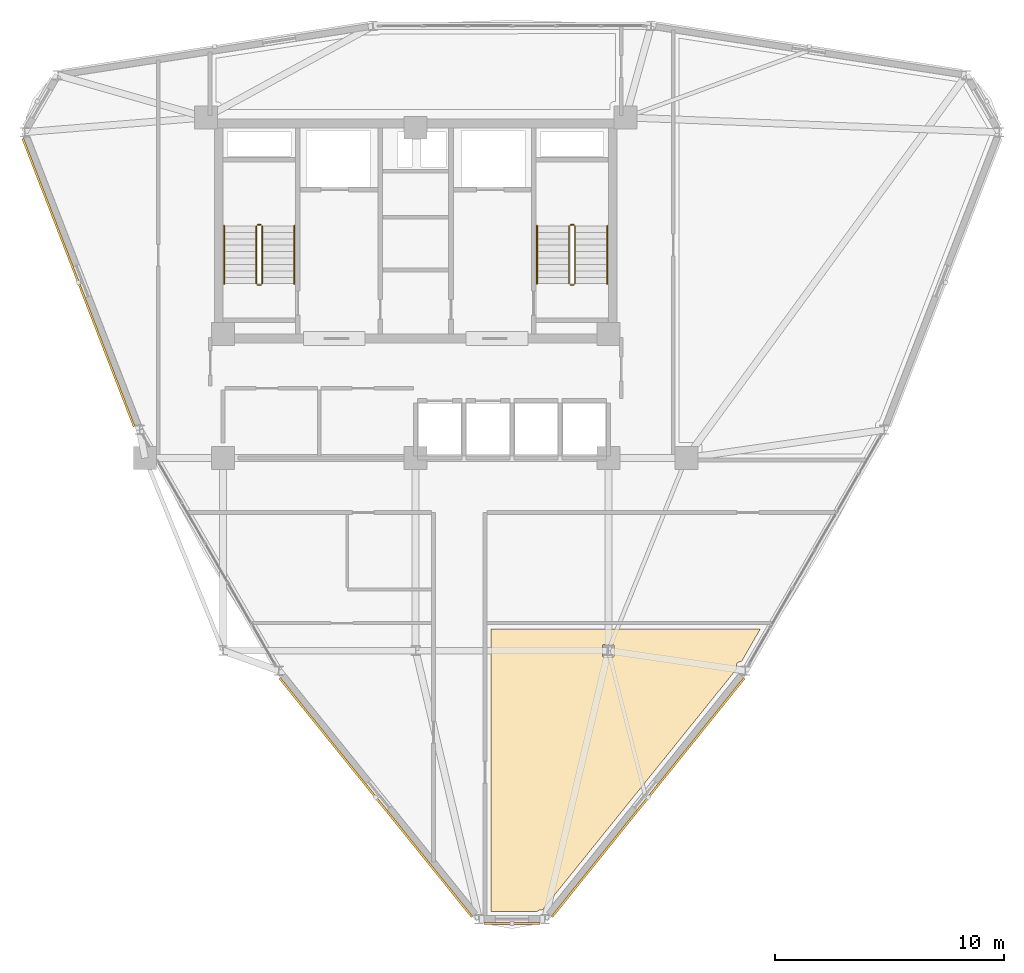
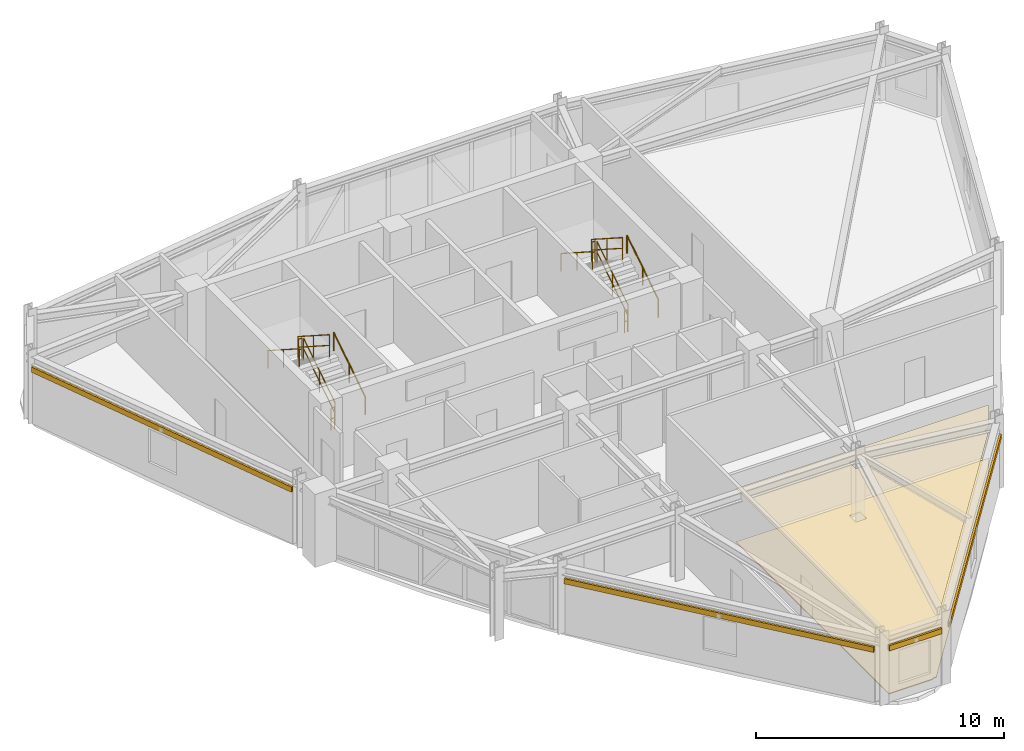
# One storey, part 15 of 16: 12 railings, 4 shading devices, 2 coverings.
"""IFC4 building model written with IfcOpenShell, lengths in metres."""

from ifc_helpers import new_model, si_unit, derived_unit, direction, frame, origin, origin_2d, place, context, subcontext, project, spatial, polyline, hollow_rectangle, circle, outline, extrude, source, transform, mapped, material, layer, layer_set, material_profile, profile_set, type_object, element, save


model = new_model("IFC4")

# Units and contexts
model_context = context("Model", 3, precision=1e-05, world=origin(), true_north=direction((0.0, 1.0)))
body_context = subcontext(model_context, "Body", "Model", "MODEL_VIEW")
ifc_project = project(units=[si_unit("LENGTHUNIT", "METRE"), si_unit("AREAUNIT", "SQUARE_METRE"), si_unit("VOLUMEUNIT", "CUBIC_METRE"), si_unit("PLANEANGLEUNIT", "RADIAN"), si_unit("MASSUNIT", "GRAM", prefix="KILO"), derived_unit("THERMALTRANSMITTANCEUNIT", [(si_unit("POWERUNIT", "WATT"), 1), (si_unit("LENGTHUNIT", "METRE"), -2), (si_unit("THERMODYNAMICTEMPERATUREUNIT", "KELVIN"), -1)])], contexts=[model_context])

# Site, building, storey
site_placement = place(None, origin())
site = spatial("IfcSite", under=ifc_project, at=site_placement, CompositionType="ELEMENT")
building_placement = place(site_placement, origin())
building = spatial("IfcBuilding", under=site, at=building_placement, Name="Korsvarv Bourse and Concert Hall", CompositionType="ELEMENT")
storey_placement = place(building_placement, frame((0.0, 0.0, 234.60009765625)))
storey = spatial("IfcBuildingStorey", under=building, at=storey_placement, Name="L61", CompositionType="ELEMENT", Elevation=234.60009765625)

# Coverings
ifc_material_1 = material(Name="Perforated mineral-wool and birch acoustic baffle ceiling", Category="wood")
ifc_layer_1 = layer(ifc_material_1, 0.02490234375)
ifc_layer_set_1 = layer_set([ifc_layer_1], Name="Perforated mineral-wool and birch acoustic baffle ceiling")
covering_type_1 = type_object("IfcCoveringType", Name="COV-CEIL-1", PredefinedType="CEILING", material=ifc_layer_set_1)
covering_1_placement = place(storey_placement, frame((0.0, 0.0, 2.639892578125)))
element("IfcCovering", 1, at=covering_1_placement, inside=storey, type_object=covering_type_1, Name="L61 acoustic baffle ceiling 2", PredefinedType="CEILING", context=body_context, shape_type="SweptSolid", body=[
    extrude(outline(polyline([(51.026611328125, 24.949951171875), (50.20556640625, 23.52783203125), (50.165283203125, 23.52783203125), (50.131103515625, 23.5244140625), (50.09814453125, 23.514892578125), (50.06787109375, 23.4990234375), (50.040771484375, 23.477783203125), (50.018310546875, 23.451904296875), (50.00146484375, 23.422119140625), (49.990234375, 23.3896484375), (49.985595703125, 23.355712890625), (49.97802734375, 23.1875), (41.5224609375, 12.694091796875), (41.435302734375, 12.694091796875), (41.399658203125, 12.6904296875), (41.365234375, 12.679931640625), (41.333740234375, 12.66259765625), (41.306396484375, 12.639404296875), (39.280029296875, 12.635986328125), (39.280029296875, 24.949951171875), (51.026611328125, 24.949951171875)]), holes=[polyline([(44.179443359375, 23.734619140625), (44.60595703125, 23.732421875), (44.629638671875, 23.73828125), (44.647705078125, 23.754638671875), (44.65576171875, 23.777587890625), (44.656005859375, 24.217529296875), (44.650146484375, 24.2412109375), (44.6337890625, 24.259033203125), (44.61083984375, 24.267333984375), (44.194091796875, 24.267578125), (44.17041015625, 24.26171875), (44.15234375, 24.245361328125), (44.144287109375, 24.222412109375), (44.14404296875, 23.782470703125), (44.14990234375, 23.7587890625), (44.179443359375, 23.734619140625)])]), origin(), (0.0, 0.0, 1.0), 0.02490234375),
])
ifc_material_2 = material(Name="Calcium-sulphate raised access trading floor with Nordic oak top", Category="wood")
ifc_layer_2 = layer(ifc_material_2, 0.0400390625)
ifc_layer_set_2 = layer_set([ifc_layer_2], Name="Calcium-sulphate raised access trading floor with Nordic oak top")
covering_type_2 = type_object("IfcCoveringType", Name="COV-FLOR-1", PredefinedType="FLOORING", material=ifc_layer_set_2)
covering_2_placement = place(storey_placement, origin())
element("IfcCovering", 2, at=covering_2_placement, inside=storey, type_object=covering_type_2, Name="L61 raised access oak floor finish 2", PredefinedType="FLOORING", context=body_context, shape_type="SweptSolid", body=[
    extrude(outline(polyline([(51.026611328125, 24.949951171875), (50.20556640625, 23.52783203125), (50.165283203125, 23.52783203125), (50.131103515625, 23.5244140625), (50.09814453125, 23.514892578125), (50.06787109375, 23.4990234375), (50.040771484375, 23.477783203125), (50.018310546875, 23.451904296875), (50.00146484375, 23.422119140625), (49.990234375, 23.3896484375), (49.985595703125, 23.355712890625), (49.97802734375, 23.1875), (41.5224609375, 12.694091796875), (41.435302734375, 12.694091796875), (41.399658203125, 12.6904296875), (41.365234375, 12.679931640625), (41.333740234375, 12.66259765625), (41.306396484375, 12.639404296875), (39.280029296875, 12.635986328125), (39.280029296875, 24.949951171875), (51.026611328125, 24.949951171875)]), holes=[polyline([(44.179443359375, 23.734619140625), (44.60595703125, 23.732421875), (44.629638671875, 23.73828125), (44.647705078125, 23.754638671875), (44.65576171875, 23.777587890625), (44.656005859375, 24.217529296875), (44.650146484375, 24.2412109375), (44.6337890625, 24.259033203125), (44.61083984375, 24.267333984375), (44.194091796875, 24.267578125), (44.17041015625, 24.26171875), (44.15234375, 24.245361328125), (44.144287109375, 24.222412109375), (44.14404296875, 23.782470703125), (44.14990234375, 23.7587890625), (44.179443359375, 23.734619140625)])]), origin(), (0.0, 0.0, 1.0), 0.039794921875),
])

# Railings
ifc_material_3 = material(Name="Painted Steel S355 stair well guardrail", Category="steel")
railing_type_1 = type_object("IfcRailingType", Name="RL-ST-GRD", PredefinedType="GUARDRAIL", material=ifc_material_3)
railing_1_placement = place(storey_placement, frame((29.31005859375, 40.0, 0.179931640625)))
element("IfcRailing", 3, at=railing_1_placement, inside=storey, type_object=railing_type_1, Name="L61 ST-T1 stair guard 1", PredefinedType="GUARDRAIL", context=body_context, shape_type="SweptSolid", body=[
    extrude(circle(Radius=0.02392578125, at=origin_2d()), frame((0.0, 0.0, 1.076171875), z_axis=(0.0, 0.841199657755, 0.540724639528), x_axis=(-1.0, 0.0, 0.0)), (0.0, 0.0, 1.0), 2.995849609375),
    extrude(circle(Radius=0.02392578125, at=origin_2d()), frame((0.0, 0.0, 0.550048828125), z_axis=(0.0, 0.841199657755, 0.540724639528), x_axis=(-1.0, 0.0, 0.0)), (0.0, 0.0, 1.0), 2.995849609375),
    extrude(circle(Radius=0.02099609375, at=origin_2d()), origin(), (0.0, 0.0, 1.0), 1.052001953125),
    extrude(circle(Radius=0.02099609375, at=origin_2d()), frame((0.0, 1.260009765625, 0.81005859375)), (0.0, 0.0, 1.0), 1.052001953125),
    extrude(circle(Radius=0.02099609375, at=origin_2d()), frame((0.0, 2.52001953125, 1.619873046875)), (0.0, 0.0, 1.0), 1.052001953125),
])
railing_2_placement = place(storey_placement, frame((29.260009765625, 42.570068359375, 1.7998046875)))
element("IfcRailing", 4, at=railing_2_placement, inside=storey, type_object=railing_type_1, Name="L61 ST-T1 stair guard 2", PredefinedType="GUARDRAIL", context=body_context, shape_type="SweptSolid", body=[
    extrude(circle(Radius=0.02392578125, at=origin_2d()), frame((0.0, 0.0, 1.076171875), z_axis=(-1.0, 0.0, 0.0), x_axis=(0.0, -1.0, 0.0)), (0.0, 0.0, 1.0), 0.159912109375),
    extrude(circle(Radius=0.02392578125, at=origin_2d()), frame((0.0, 0.0, 0.550048828125), z_axis=(-1.0, 0.0, 0.0), x_axis=(0.0, -1.0, 0.0)), (0.0, 0.0, 1.0), 0.159912109375),
    extrude(circle(Radius=0.02099609375, at=origin_2d()), origin(), (0.0, 0.0, 1.0), 1.052001953125),
    extrude(circle(Radius=0.02099609375, at=origin_2d()), frame((-0.159912109375, 0.0, 0.0)), (0.0, 0.0, 1.0), 1.052001953125),
])
railing_3_placement = place(storey_placement, frame((29.050048828125, 42.52001953125, 1.97998046875)))
element("IfcRailing", 5, at=railing_3_placement, inside=storey, type_object=railing_type_1, Name="L61 ST-T1 stair guard 3", PredefinedType="GUARDRAIL", context=body_context, shape_type="SweptSolid", body=[
    extrude(circle(Radius=0.02392578125, at=origin_2d()), frame((0.0, 0.0, 1.076171875), z_axis=(0.0, -0.841199657755, 0.540724639528), x_axis=(1.0, 0.0, 0.0)), (0.0, 0.0, 1.0), 2.995849609375),
    extrude(circle(Radius=0.02392578125, at=origin_2d()), frame((0.0, 0.0, 0.550048828125), z_axis=(0.0, -0.841199657755, 0.540724639528), x_axis=(1.0, 0.0, 0.0)), (0.0, 0.0, 1.0), 2.995849609375),
    extrude(circle(Radius=0.02099609375, at=origin_2d()), origin(), (0.0, 0.0, 1.0), 1.052001953125),
    extrude(circle(Radius=0.02099609375, at=origin_2d()), frame((0.0, -1.260009765625, 0.81005859375)), (0.0, 0.0, 1.0), 1.052001953125),
    extrude(circle(Radius=0.02099609375, at=origin_2d()), frame((0.0, -2.52001953125, 1.619873046875)), (0.0, 0.0, 1.0), 1.052001953125),
])
railing_4_placement = place(storey_placement, frame((29.260009765625, 39.949951171875, 0.0)))
element("IfcRailing", 6, at=railing_4_placement, inside=storey, type_object=railing_type_1, Name="L61 ST-T1 stair guard 4", PredefinedType="GUARDRAIL", context=body_context, shape_type="SweptSolid", body=[
    extrude(circle(Radius=0.02392578125, at=origin_2d()), frame((0.0, 0.0, 1.076171875), z_axis=(-1.0, 0.0, 0.0), x_axis=(0.0, -1.0, 0.0)), (0.0, 0.0, 1.0), 0.159912109375),
    extrude(circle(Radius=0.02392578125, at=origin_2d()), frame((0.0, 0.0, 0.550048828125), z_axis=(-1.0, 0.0, 0.0), x_axis=(0.0, -1.0, 0.0)), (0.0, 0.0, 1.0), 0.159912109375),
    extrude(circle(Radius=0.02099609375, at=origin_2d()), origin(), (0.0, 0.0, 1.0), 1.052001953125),
    extrude(circle(Radius=0.02099609375, at=origin_2d()), frame((-0.159912109375, 0.0, 0.0)), (0.0, 0.0, 1.0), 1.052001953125),
])
railing_5_placement = place(storey_placement, frame((42.949951171875, 40.0, 0.179931640625)))
element("IfcRailing", 7, at=railing_5_placement, inside=storey, type_object=railing_type_1, Name="L61 ST-T2 stair guard 1", PredefinedType="GUARDRAIL", context=body_context, shape_type="SweptSolid", body=[
    extrude(circle(Radius=0.02392578125, at=origin_2d()), frame((0.0, 0.0, 1.076171875), z_axis=(0.0, 0.841199657755, 0.540724639528), x_axis=(-1.0, 0.0, 0.0)), (0.0, 0.0, 1.0), 2.995849609375),
    extrude(circle(Radius=0.02392578125, at=origin_2d()), frame((0.0, 0.0, 0.550048828125), z_axis=(0.0, 0.841199657755, 0.540724639528), x_axis=(-1.0, 0.0, 0.0)), (0.0, 0.0, 1.0), 2.995849609375),
    extrude(circle(Radius=0.02099609375, at=origin_2d()), origin(), (0.0, 0.0, 1.0), 1.052001953125),
    extrude(circle(Radius=0.02099609375, at=origin_2d()), frame((0.0, 1.260009765625, 0.81005859375)), (0.0, 0.0, 1.0), 1.052001953125),
    extrude(circle(Radius=0.02099609375, at=origin_2d()), frame((0.0, 2.52001953125, 1.619873046875)), (0.0, 0.0, 1.0), 1.052001953125),
])
railing_6_placement = place(storey_placement, frame((42.89990234375, 42.570068359375, 1.7998046875)))
element("IfcRailing", 8, at=railing_6_placement, inside=storey, type_object=railing_type_1, Name="L61 ST-T2 stair guard 2", PredefinedType="GUARDRAIL", context=body_context, shape_type="SweptSolid", body=[
    extrude(circle(Radius=0.02392578125, at=origin_2d()), frame((0.0, 0.0, 1.076171875), z_axis=(-1.0, 0.0, 0.0), x_axis=(0.0, -1.0, 0.0)), (0.0, 0.0, 1.0), 0.159912109375),
    extrude(circle(Radius=0.02392578125, at=origin_2d()), frame((0.0, 0.0, 0.550048828125), z_axis=(-1.0, 0.0, 0.0), x_axis=(0.0, -1.0, 0.0)), (0.0, 0.0, 1.0), 0.159912109375),
    extrude(circle(Radius=0.02099609375, at=origin_2d()), origin(), (0.0, 0.0, 1.0), 1.052001953125),
    extrude(circle(Radius=0.02099609375, at=origin_2d()), frame((-0.159912109375, 0.0, 0.0)), (0.0, 0.0, 1.0), 1.052001953125),
])
railing_7_placement = place(storey_placement, frame((42.68994140625, 42.52001953125, 1.97998046875)))
element("IfcRailing", 9, at=railing_7_placement, inside=storey, type_object=railing_type_1, Name="L61 ST-T2 stair guard 3", PredefinedType="GUARDRAIL", context=body_context, shape_type="SweptSolid", body=[
    extrude(circle(Radius=0.02392578125, at=origin_2d()), frame((0.0, 0.0, 1.076171875), z_axis=(0.0, -0.841199657755, 0.540724639528), x_axis=(1.0, 0.0, 0.0)), (0.0, 0.0, 1.0), 2.995849609375),
    extrude(circle(Radius=0.02392578125, at=origin_2d()), frame((0.0, 0.0, 0.550048828125), z_axis=(0.0, -0.841199657755, 0.540724639528), x_axis=(1.0, 0.0, 0.0)), (0.0, 0.0, 1.0), 2.995849609375),
    extrude(circle(Radius=0.02099609375, at=origin_2d()), origin(), (0.0, 0.0, 1.0), 1.052001953125),
    extrude(circle(Radius=0.02099609375, at=origin_2d()), frame((0.0, -1.260009765625, 0.81005859375)), (0.0, 0.0, 1.0), 1.052001953125),
    extrude(circle(Radius=0.02099609375, at=origin_2d()), frame((0.0, -2.52001953125, 1.619873046875)), (0.0, 0.0, 1.0), 1.052001953125),
])
railing_8_placement = place(storey_placement, frame((42.89990234375, 39.949951171875, 0.0)))
element("IfcRailing", 10, at=railing_8_placement, inside=storey, type_object=railing_type_1, Name="L61 ST-T2 stair guard 4", PredefinedType="GUARDRAIL", context=body_context, shape_type="SweptSolid", body=[
    extrude(circle(Radius=0.02392578125, at=origin_2d()), frame((0.0, 0.0, 1.076171875), z_axis=(-1.0, 0.0, 0.0), x_axis=(0.0, -1.0, 0.0)), (0.0, 0.0, 1.0), 0.159912109375),
    extrude(circle(Radius=0.02392578125, at=origin_2d()), frame((0.0, 0.0, 0.550048828125), z_axis=(-1.0, 0.0, 0.0), x_axis=(0.0, -1.0, 0.0)), (0.0, 0.0, 1.0), 0.159912109375),
    extrude(circle(Radius=0.02099609375, at=origin_2d()), origin(), (0.0, 0.0, 1.0), 1.052001953125),
    extrude(circle(Radius=0.02099609375, at=origin_2d()), frame((-0.159912109375, 0.0, 0.0)), (0.0, 0.0, 1.0), 1.052001953125),
])
ifc_material_4 = material(Name="Brushed stainless Steel S355 tubular handrail", Category="steel")
railing_type_2 = type_object("IfcRailingType", Name="RL-ST-HND", PredefinedType="HANDRAIL", material=ifc_material_4)
railing_9_placement = place(storey_placement, frame((30.7099609375, 40.0, 0.179931640625)))
element("IfcRailing", 11, at=railing_9_placement, inside=storey, type_object=railing_type_2, Name="L61 ST-T1 stair handrail 1", PredefinedType="HANDRAIL", context=body_context, shape_type="SweptSolid", body=[
    extrude(circle(Radius=0.02392578125, at=origin_2d()), frame((0.0, 0.0, 0.8759765625), z_axis=(0.0, 0.841199657755, 0.540724639528), x_axis=(-1.0, 0.0, 0.0)), (0.0, 0.0, 1.0), 2.995849609375),
    extrude(circle(Radius=0.02099609375, at=origin_2d()), origin(), (0.0, 0.0, 1.0), 0.851806640625),
    extrude(circle(Radius=0.02099609375, at=origin_2d()), frame((0.0, 1.260009765625, 0.81005859375)), (0.0, 0.0, 1.0), 0.851806640625),
    extrude(circle(Radius=0.02099609375, at=origin_2d()), frame((0.0, 2.52001953125, 1.619873046875)), (0.0, 0.0, 1.0), 0.851806640625),
])
railing_10_placement = place(storey_placement, frame((27.64990234375, 42.52001953125, 1.97998046875)))
element("IfcRailing", 12, at=railing_10_placement, inside=storey, type_object=railing_type_2, Name="L61 ST-T1 stair handrail 2", PredefinedType="HANDRAIL", context=body_context, shape_type="SweptSolid", body=[
    extrude(circle(Radius=0.02392578125, at=origin_2d()), frame((0.0, 0.0, 0.8759765625), z_axis=(0.0, -0.841199657755, 0.540724639528), x_axis=(1.0, 0.0, 0.0)), (0.0, 0.0, 1.0), 2.995849609375),
    extrude(circle(Radius=0.02099609375, at=origin_2d()), origin(), (0.0, 0.0, 1.0), 0.851806640625),
    extrude(circle(Radius=0.02099609375, at=origin_2d()), frame((0.0, -1.260009765625, 0.81005859375)), (0.0, 0.0, 1.0), 0.851806640625),
    extrude(circle(Radius=0.02099609375, at=origin_2d()), frame((0.0, -2.52001953125, 1.619873046875)), (0.0, 0.0, 1.0), 0.851806640625),
])
railing_11_placement = place(storey_placement, frame((44.35009765625, 40.0, 0.179931640625)))
element("IfcRailing", 13, at=railing_11_placement, inside=storey, type_object=railing_type_2, Name="L61 ST-T2 stair handrail 1", PredefinedType="HANDRAIL", context=body_context, shape_type="SweptSolid", body=[
    extrude(circle(Radius=0.02392578125, at=origin_2d()), frame((0.0, 0.0, 0.8759765625), z_axis=(0.0, 0.841199657755, 0.540724639528), x_axis=(-1.0, 0.0, 0.0)), (0.0, 0.0, 1.0), 2.995849609375),
    extrude(circle(Radius=0.02099609375, at=origin_2d()), origin(), (0.0, 0.0, 1.0), 0.851806640625),
    extrude(circle(Radius=0.02099609375, at=origin_2d()), frame((0.0, 1.260009765625, 0.81005859375)), (0.0, 0.0, 1.0), 0.851806640625),
    extrude(circle(Radius=0.02099609375, at=origin_2d()), frame((0.0, 2.52001953125, 1.619873046875)), (0.0, 0.0, 1.0), 0.851806640625),
])
railing_12_placement = place(storey_placement, frame((41.2900390625, 42.52001953125, 1.97998046875)))
element("IfcRailing", 14, at=railing_12_placement, inside=storey, type_object=railing_type_2, Name="L61 ST-T2 stair handrail 2", PredefinedType="HANDRAIL", context=body_context, shape_type="SweptSolid", body=[
    extrude(circle(Radius=0.02392578125, at=origin_2d()), frame((0.0, 0.0, 0.8759765625), z_axis=(0.0, -0.841199657755, 0.540724639528), x_axis=(1.0, 0.0, 0.0)), (0.0, 0.0, 1.0), 2.995849609375),
    extrude(circle(Radius=0.02099609375, at=origin_2d()), origin(), (0.0, 0.0, 1.0), 0.851806640625),
    extrude(circle(Radius=0.02099609375, at=origin_2d()), frame((0.0, -1.260009765625, 0.81005859375)), (0.0, 0.0, 1.0), 0.851806640625),
    extrude(circle(Radius=0.02099609375, at=origin_2d()), frame((0.0, -2.52001953125, 1.619873046875)), (0.0, 0.0, 1.0), 0.851806640625),
])

# Shading devices
ifc_material_5 = material(Name="Glazed extruded architectural terracotta", Category="ceramic")
ifc_material_profile = material_profile(ifc_material_5, hollow_rectangle(XDim=0.090087890625, YDim=0.260009765625, WallThickness=0.011962890625, at=origin_2d()), Name="TC-BAG 90x260")
ifc_profile_set = profile_set([ifc_material_profile], Name="Glazed extruded architectural terracotta")
shading_device_type = type_object("IfcShadingDeviceType", Name="SHD-BAG-1", PredefinedType="USERDEFINED", material=ifc_profile_set)
shared_shape_1 = source(origin(), body_context, "Body", "SweptSolid", [
    extrude(hollow_rectangle(XDim=0.090087890625, YDim=0.260009765625, WallThickness=0.011962890625, at=origin_2d()), origin(), (0.0, 0.0, 1.0), 13.45654296875),
])
shading_device_1_placement = place(storey_placement, frame((18.871826171875, 46.330078125, 2.7099609375), z_axis=(0.360611311211, -0.93271618525, 0.0), x_axis=(0.93271618525, 0.360611311211, 0.0)))
element("IfcShadingDevice", 15, at=shading_device_1_placement, inside=storey, type_object=shading_device_type, Name="L61 terracotta baguette sunshade EW-L61-B06", ObjectType="BAGUETTE", PredefinedType="USERDEFINED", context=body_context, shape_type="MappedRepresentation", body=[
    mapped(shared_shape_1, transform((0.0, 0.0, 0.0), scale=1.0)),
])
shared_shape_2 = source(origin(), body_context, "Body", "SweptSolid", [
    extrude(hollow_rectangle(XDim=0.090087890625, YDim=0.260009765625, WallThickness=0.011962890625, at=origin_2d()), origin(), (0.0, 0.0, 1.0), 13.3662109375),
])
for number, where, z_axis, x_axis, name in (
    (16, (30.06689453125, 22.806884765625, 2.64990234375), (0.627462149304, -0.778647064587, 0.0), (0.778647064587, 0.627462149304, 0.0), "L61 terracotta baguette sunshade EW-L61-B08"),
    (17, (41.9462890625, 12.3994140625, 2.64990234375), (0.627462149304, 0.778647064587, 0.0), (-0.778647064587, 0.627462149304, 0.0), "L61 terracotta baguette sunshade EW-L61-B10"),
):
    element("IfcShadingDevice", number, at=place(storey_placement, frame(where, z_axis=z_axis, x_axis=x_axis)), inside=storey, type_object=shading_device_type, Name=name, ObjectType="BAGUETTE", PredefinedType="USERDEFINED", context=body_context, shape_type="MappedRepresentation", body=[
        mapped(shared_shape_2, transform((0.0, 0.0, 0.0), scale=1.0)),
    ])
shared_shape_3 = source(origin(), body_context, "Body", "SweptSolid", [
    extrude(hollow_rectangle(XDim=0.090087890625, YDim=0.260009765625, WallThickness=0.011962890625, at=origin_2d()), origin(), (0.0, 0.0, 1.0), 2.4609375),
])
shading_device_2_placement = place(storey_placement, frame((38.969482421875, 12.111083984375, 2.7099609375), z_axis=(1.0, 0.0, 0.0), x_axis=(0.0, 1.0, 0.0)))
element("IfcShadingDevice", 18, at=shading_device_2_placement, inside=storey, type_object=shading_device_type, Name="L61 terracotta baguette sunshade EW-L61-B09", ObjectType="BAGUETTE", PredefinedType="USERDEFINED", context=body_context, shape_type="MappedRepresentation", body=[
    mapped(shared_shape_3, transform((0.0, 0.0, 0.0), scale=1.0)),
])

save(model, "model.ifc")
